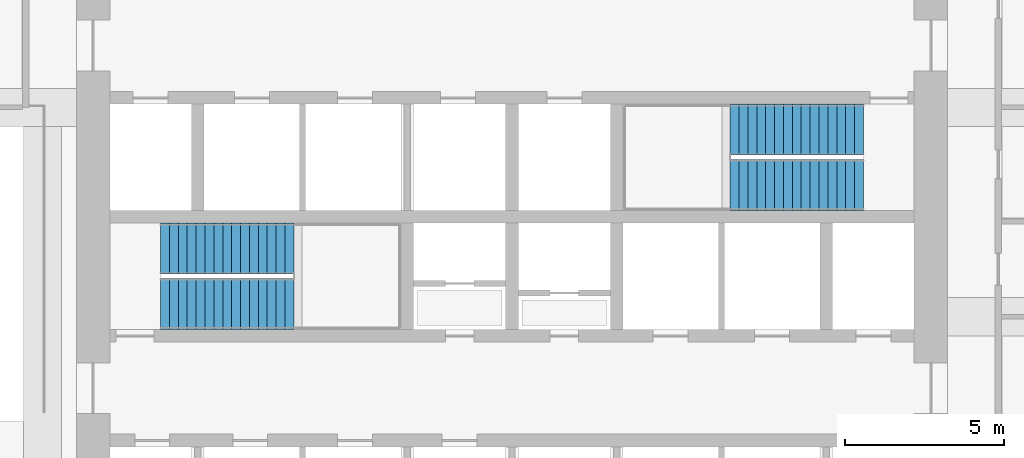
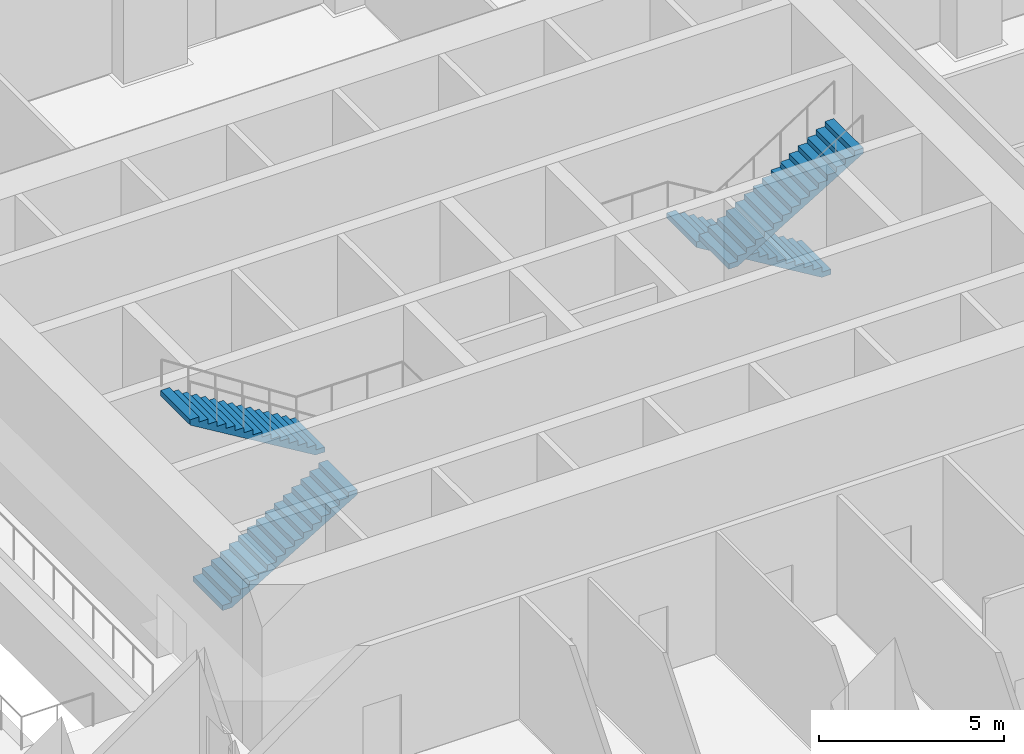
# One storey, part 14 of 17: 4 stair flights, 2 elements without a shape of their own.
"""IFC4 building model written with IfcOpenShell, lengths in metres."""

from ifc_helpers import new_model, si_unit, direction, frame, origin, place, context, subcontext, project, spatial, polyline, outline, extrude, material, type_object, element, aggregate, save


model = new_model("IFC4")

# Units and contexts
model_context = context("Model", 3, precision=1e-05, world=origin(), true_north=direction((0.0, 1.0)))
body_context = subcontext(model_context, "Body", "Model", "MODEL_VIEW")
ifc_project = project(units=[si_unit("LENGTHUNIT", "METRE"), si_unit("AREAUNIT", "SQUARE_METRE"), si_unit("VOLUMEUNIT", "CUBIC_METRE"), si_unit("PLANEANGLEUNIT", "RADIAN"), si_unit("MASSUNIT", "GRAM", prefix="KILO")], contexts=[model_context])

# Site, building, storey
site_placement = place(None, origin())
site = spatial("IfcSite", under=ifc_project, at=site_placement, CompositionType="ELEMENT")
building_placement = place(site_placement, origin())
building = spatial("IfcBuilding", under=site, at=building_placement, Name="Cobogo Forest Laboratory Tower", CompositionType="ELEMENT")
storey_placement = place(building_placement, frame((0.0, 0.0, 7.199951171875)))
storey = spatial("IfcBuildingStorey", under=building, at=storey_placement, Name="L01", CompositionType="ELEMENT", Elevation=7.199951171875)

# Stair, stair flights
ifc_material = material(Name="Precast concrete HA-40 (C40/50)", Category="concrete")
stair_type = type_object("IfcStairType", Name="ST32 exit stair 32 risers", PredefinedType="HALF_TURN_STAIR", material=ifc_material)
stair_1_placement = place(storey_placement, origin())
stair_1 = element("IfcStair", 1, at=stair_1_placement, inside=storey, type_object=stair_type, Name="Stair 1 L01 to L02", PredefinedType="HALF_TURN_STAIR")
stair_flight_type = type_object("IfcStairFlightType", Name="ST stair flight 280 going", PredefinedType="STRAIGHT", material=ifc_material)
stair_flight_1_placement = place(storey_placement, frame((15.324951171875, 20.199951171875, 0.0), z_axis=(0.0, 0.0, 1.0), x_axis=(1.0, 0.0, 0.0)))
stair_flight_1 = element("IfcStairFlight", 2, at=stair_flight_1_placement, type_object=stair_flight_type, Name="ST1 flight 1", NumberOfRisers=16, NumberOfTreads=15, PredefinedType="STRAIGHT", RiserHeight=0.16875, TreadLength=0.28, context=body_context, shape_type="SweptSolid", body=[
    extrude(outline(polyline([(0.0, 0.0), (0.0, 0.168701171875), (0.280029296875, 0.168701171875), (0.280029296875, 0.33740234375), (0.56005859375, 0.33740234375), (0.56005859375, 0.50634765625), (0.840087890625, 0.50634765625), (0.840087890625, 0.675048828125), (1.1201171875, 0.675048828125), (1.1201171875, 0.84375), (1.39990234375, 0.84375), (1.39990234375, 1.012451171875), (1.679931640625, 1.012451171875), (1.679931640625, 1.18115234375), (1.9599609375, 1.18115234375), (1.9599609375, 1.35009765625), (2.239990234375, 1.35009765625), (2.239990234375, 1.518798828125), (2.52001953125, 1.518798828125), (2.52001953125, 1.6875), (2.800048828125, 1.6875), (2.800048828125, 1.856201171875), (3.080078125, 1.856201171875), (3.080078125, 2.02490234375), (3.360107421875, 2.02490234375), (3.360107421875, 2.19384765625), (3.639892578125, 2.19384765625), (3.639892578125, 2.362548828125), (3.919921875, 2.362548828125), (3.919921875, 2.53125), (4.199951171875, 2.53125), (4.199951171875, 2.699951171875), (4.199951171875, 2.356201171875), (0.29052734375, 0.0), (0.0, 0.0)])), frame((0.0, 0.800048828125, 0.0), z_axis=(0.0, -1.0, 0.0), x_axis=(1.0, 0.0, 0.0)), (0.0, 0.0, 1.0), 1.60009765625),
])
stair_flight_2_placement = place(storey_placement, frame((19.52490234375, 21.949951171875, 2.699951171875), z_axis=(0.0, 0.0, 1.0), x_axis=(-1.0, 0.0, 0.0)))
stair_flight_2 = element("IfcStairFlight", 3, at=stair_flight_2_placement, type_object=stair_flight_type, Name="ST1 flight 2", NumberOfRisers=16, NumberOfTreads=15, PredefinedType="STRAIGHT", RiserHeight=0.16875, TreadLength=0.28, context=body_context, shape_type="SweptSolid", body=[
    extrude(outline(polyline([(0.0, 0.0), (0.0, 0.168701171875), (0.280029296875, 0.168701171875), (0.280029296875, 0.33740234375), (0.56005859375, 0.33740234375), (0.56005859375, 0.50634765625), (0.840087890625, 0.50634765625), (0.840087890625, 0.675048828125), (1.1201171875, 0.675048828125), (1.1201171875, 0.84375), (1.39990234375, 0.84375), (1.39990234375, 1.012451171875), (1.679931640625, 1.012451171875), (1.679931640625, 1.18115234375), (1.9599609375, 1.18115234375), (1.9599609375, 1.35009765625), (2.239990234375, 1.35009765625), (2.239990234375, 1.518798828125), (2.52001953125, 1.518798828125), (2.52001953125, 1.6875), (2.800048828125, 1.6875), (2.800048828125, 1.856201171875), (3.080078125, 1.856201171875), (3.080078125, 2.02490234375), (3.360107421875, 2.02490234375), (3.360107421875, 2.19384765625), (3.639892578125, 2.19384765625), (3.639892578125, 2.362548828125), (3.919921875, 2.362548828125), (3.919921875, 2.53125), (4.199951171875, 2.53125), (4.199951171875, 2.699951171875), (4.199951171875, 2.356201171875), (0.29052734375, 0.0), (0.0, 0.0)])), frame((0.0, 0.800048828125, 0.0), z_axis=(0.0, -1.0, 0.0), x_axis=(1.0, 0.0, 0.0)), (0.0, 0.0, 1.0), 1.60009765625),
])
aggregate(stair_1, [stair_flight_1, stair_flight_2])

stair_2_placement = place(storey_placement, origin())
stair_2 = element("IfcStair", 4, at=stair_2_placement, inside=storey, type_object=stair_type, Name="Stair 2 L01 to L02", PredefinedType="HALF_TURN_STAIR")
stair_flight_3_placement = place(storey_placement, frame((37.47509765625, 25.699951171875, 0.0), z_axis=(0.0, 0.0, 1.0), x_axis=(-1.0, 0.0, 0.0)))
stair_flight_3 = element("IfcStairFlight", 5, at=stair_flight_3_placement, type_object=stair_flight_type, Name="ST2 flight 1", NumberOfRisers=16, NumberOfTreads=15, PredefinedType="STRAIGHT", RiserHeight=0.16875, TreadLength=0.28, context=body_context, shape_type="SweptSolid", body=[
    extrude(outline(polyline([(0.0, 0.0), (0.0, 0.168701171875), (0.280029296875, 0.168701171875), (0.280029296875, 0.33740234375), (0.56005859375, 0.33740234375), (0.56005859375, 0.50634765625), (0.840087890625, 0.50634765625), (0.840087890625, 0.675048828125), (1.1201171875, 0.675048828125), (1.1201171875, 0.84375), (1.39990234375, 0.84375), (1.39990234375, 1.012451171875), (1.679931640625, 1.012451171875), (1.679931640625, 1.18115234375), (1.9599609375, 1.18115234375), (1.9599609375, 1.35009765625), (2.239990234375, 1.35009765625), (2.239990234375, 1.518798828125), (2.52001953125, 1.518798828125), (2.52001953125, 1.6875), (2.800048828125, 1.6875), (2.800048828125, 1.856201171875), (3.080078125, 1.856201171875), (3.080078125, 2.02490234375), (3.360107421875, 2.02490234375), (3.360107421875, 2.19384765625), (3.639892578125, 2.19384765625), (3.639892578125, 2.362548828125), (3.919921875, 2.362548828125), (3.919921875, 2.53125), (4.199951171875, 2.53125), (4.199951171875, 2.699951171875), (4.199951171875, 2.356201171875), (0.29052734375, 0.0), (0.0, 0.0)])), frame((0.0, 0.800048828125, 0.0), z_axis=(0.0, -1.0, 0.0), x_axis=(1.0, 0.0, 0.0)), (0.0, 0.0, 1.0), 1.60009765625),
])
stair_flight_4_placement = place(storey_placement, frame((33.27490234375, 23.949951171875, 2.699951171875), z_axis=(0.0, 0.0, 1.0), x_axis=(1.0, 0.0, 0.0)))
stair_flight_4 = element("IfcStairFlight", 6, at=stair_flight_4_placement, type_object=stair_flight_type, Name="ST2 flight 2", NumberOfRisers=16, NumberOfTreads=15, PredefinedType="STRAIGHT", RiserHeight=0.16875, TreadLength=0.28, context=body_context, shape_type="SweptSolid", body=[
    extrude(outline(polyline([(0.0, 0.0), (0.0, 0.168701171875), (0.280029296875, 0.168701171875), (0.280029296875, 0.33740234375), (0.56005859375, 0.33740234375), (0.56005859375, 0.50634765625), (0.840087890625, 0.50634765625), (0.840087890625, 0.675048828125), (1.1201171875, 0.675048828125), (1.1201171875, 0.84375), (1.39990234375, 0.84375), (1.39990234375, 1.012451171875), (1.679931640625, 1.012451171875), (1.679931640625, 1.18115234375), (1.9599609375, 1.18115234375), (1.9599609375, 1.35009765625), (2.239990234375, 1.35009765625), (2.239990234375, 1.518798828125), (2.52001953125, 1.518798828125), (2.52001953125, 1.6875), (2.800048828125, 1.6875), (2.800048828125, 1.856201171875), (3.080078125, 1.856201171875), (3.080078125, 2.02490234375), (3.360107421875, 2.02490234375), (3.360107421875, 2.19384765625), (3.639892578125, 2.19384765625), (3.639892578125, 2.362548828125), (3.919921875, 2.362548828125), (3.919921875, 2.53125), (4.199951171875, 2.53125), (4.199951171875, 2.699951171875), (4.199951171875, 2.356201171875), (0.29052734375, 0.0), (0.0, 0.0)])), frame((0.0, 0.800048828125, 0.0), z_axis=(0.0, -1.0, 0.0), x_axis=(1.0, 0.0, 0.0)), (0.0, 0.0, 1.0), 1.60009765625),
])
aggregate(stair_2, [stair_flight_3, stair_flight_4])

save(model, "model.ifc")
